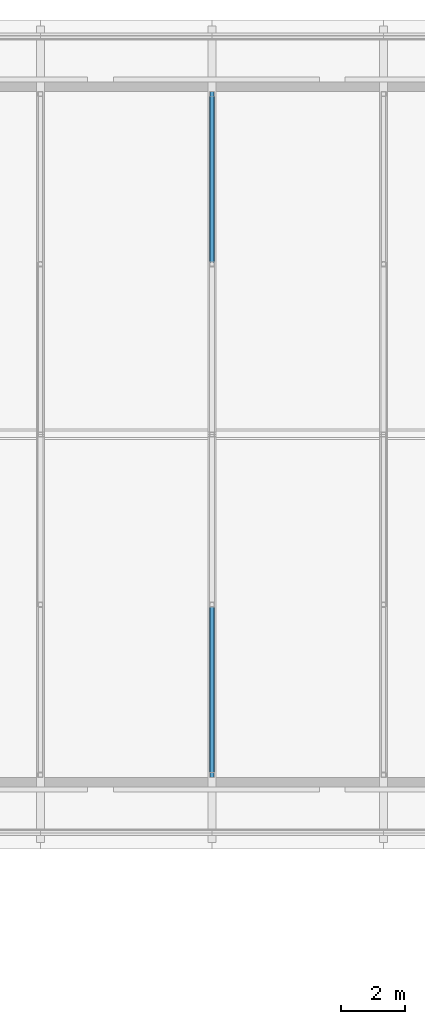
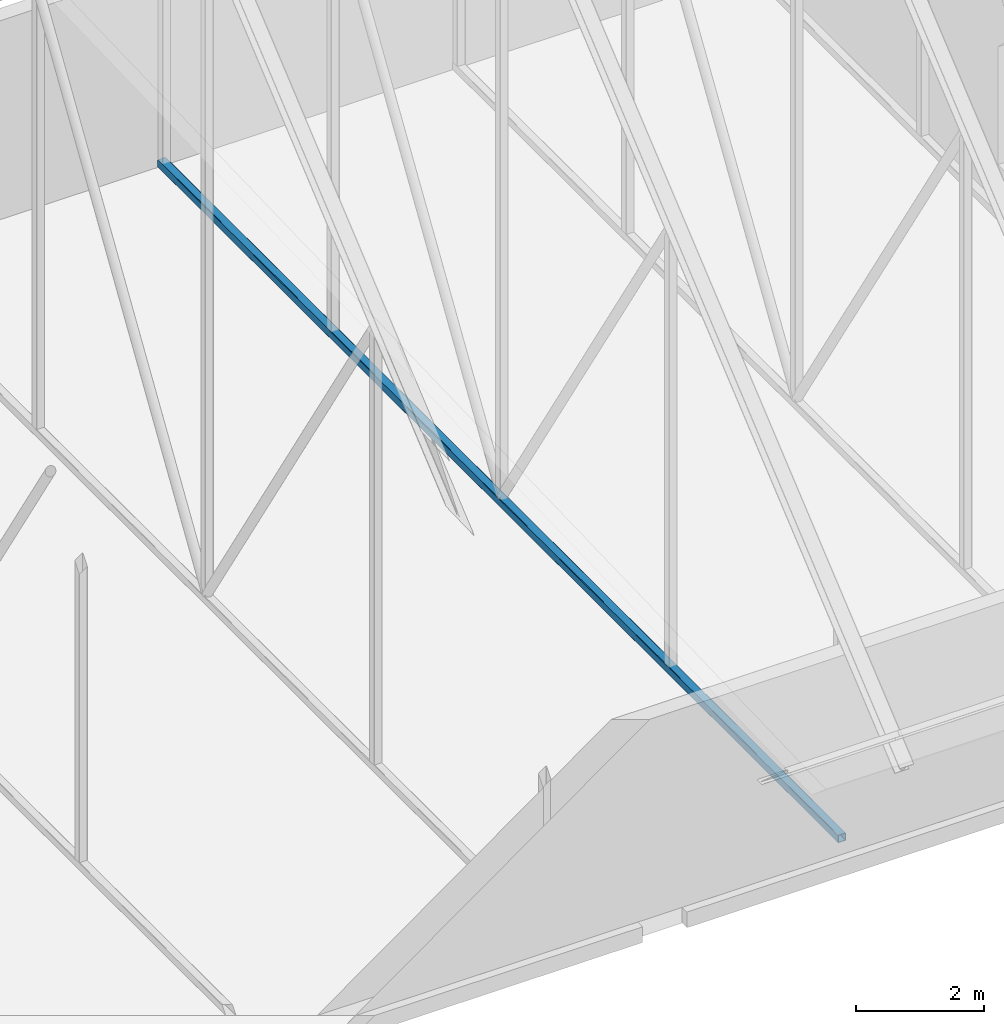
# One storey, part 10 of 29: 1 member.
"""IFC4 building model written with IfcOpenShell, lengths in metres."""

import ifcopenshell
import ifcopenshell.guid

model = None  # the IFC model being written
_history = None  # IfcOwnerHistory: only IFC2X3 demands one
_inside = {}  # id of a spatial element -> (the spatial element, [elements in it])
_under = {}  # id of a project, library or spatial element -> (it, [spatial elements below it])
_declared = {}  # id of a project -> (the project, [libraries it declares])
_typed = {}  # id of a type object -> (the type object, [elements of that type])
_made_of = {}  # id of a material, layer set ... -> (it, [elements and type objects made of it])


def new_model(schema):
    """Start an empty IFC model of exactly this schema.

    Asked for "IFC4X3", IfcOpenShell would pick the latest addendum, in which some entities
    have other attributes; the version numbers below select the first issue.
    IFC2X3 requires an IfcOwnerHistory on every rooted entity: one is made here for all.
    """
    global model, _history
    if schema == "IFC4X3":
        model = ifcopenshell.file(schema_version=(4, 3, 0, 0))
    else:
        model = ifcopenshell.file(schema=schema)
    _inside.clear()
    _under.clear()
    _declared.clear()
    _typed.clear()
    _made_of.clear()
    _history = None
    if model.schema == "IFC2X3":
        org = make("IfcOrganization", Name="unknown")
        user = make(
            "IfcPersonAndOrganization",
            ThePerson=make("IfcPerson", FamilyName="unknown"),
            TheOrganization=org,
        )
        app = make(
            "IfcApplication",
            ApplicationDeveloper=org,
            Version="unknown",
            ApplicationFullName="unknown",
            ApplicationIdentifier="unknown",
        )
        _history = make(
            "IfcOwnerHistory",
            OwningUser=user,
            OwningApplication=app,
            ChangeAction="ADDED",
            CreationDate=0,
        )
    return model


def make(cls, **values):
    """One entity of the class cls with the attributes given. An attribute that is None is left unset."""
    return model.create_entity(
        cls, **{name: value for name, value in values.items() if value is not None}
    )


def rooted(cls, **values):
    """An entity with a GlobalId (a new one), such as an element, a storey or a relation."""
    return make(cls, GlobalId=ifcopenshell.guid.new(), OwnerHistory=_history, **values)


def si_unit(unit_type, name, prefix=None):
    """IfcSIUnit, for example si_unit("LENGTHUNIT", "METRE", prefix="MILLI")."""
    return make("IfcSIUnit", UnitType=unit_type, Prefix=prefix, Name=name)


def assignment(units):
    """IfcUnitAssignment: the units of a project."""
    return None if units is None else make("IfcUnitAssignment", Units=units)


def point(xyz):
    """IfcCartesianPoint."""
    return None if xyz is None else make("IfcCartesianPoint", Coordinates=xyz)


def direction(xyz):
    """IfcDirection."""
    return None if xyz is None else make("IfcDirection", DirectionRatios=xyz)


def frame(location, z_axis=None, x_axis=None):
    """IfcAxis2Placement3D, a coordinate frame: its origin and axes. An axis left out is left unset."""
    return make(
        "IfcAxis2Placement3D",
        Location=point(location),
        Axis=direction(z_axis),
        RefDirection=direction(x_axis),
    )


def frame_2d(location, x_axis=None):
    """IfcAxis2Placement2D, a coordinate frame in the plane: its origin and x axis."""
    return make(
        "IfcAxis2Placement2D", Location=point(location), RefDirection=direction(x_axis)
    )


def origin():
    """The frame at (0, 0, 0) with its axes left unset."""
    return frame((0.0, 0.0, 0.0))


def origin_2d():
    """The frame at (0, 0) in the plane with its x axis left unset."""
    return frame_2d((0.0, 0.0))


def place(relative_to, where):
    """IfcLocalPlacement: puts the frame where relative to a parent placement (None: the world)."""
    return make(
        "IfcLocalPlacement", PlacementRelTo=relative_to, RelativePlacement=where
    )


def context(
    kind, dimensions, precision=None, world=None, true_north=None, identifier=None
):
    """IfcGeometricRepresentationContext, for example the 3D "Model" context."""
    return make(
        "IfcGeometricRepresentationContext",
        ContextIdentifier=identifier,
        ContextType=kind,
        CoordinateSpaceDimension=dimensions,
        Precision=precision,
        WorldCoordinateSystem=world,
        TrueNorth=true_north,
    )


def subcontext(parent, identifier, kind, view, scale=None):
    """IfcGeometricRepresentationSubContext, for example "Body" below "Model"."""
    return make(
        "IfcGeometricRepresentationSubContext",
        ContextIdentifier=identifier,
        ContextType=kind,
        ParentContext=parent,
        TargetScale=scale,
        TargetView=view,
    )


def project(units=None, contexts=None):
    """IfcProject with its units and contexts."""
    return rooted(
        "IfcProject",
        Name="project",
        RepresentationContexts=contexts,
        UnitsInContext=assignment(units),
    )


def spatial(cls, under=None, at=None, **own):
    """A site, building, storey or space (cls), placed at a placement, below another one or the project."""
    s = rooted(cls, ObjectPlacement=at, **own)
    if under is not None:
        _under.setdefault(under.id(), (under, []))[1].append(s)
    return s


def profile(cls, at=None, kind="AREA", **sizes):
    """A parametric profile (cls). Its sizes go by their IFC names, for example OverallWidth=200.0."""
    return make(cls, ProfileType=kind, Position=at, **sizes)


def hollow_rectangle(**sizes):
    """IfcRectangleHollowProfileDef."""
    return profile("IfcRectangleHollowProfileDef", **sizes)


def extrude(swept, where, along, depth):
    """IfcExtrudedAreaSolid: the profile swept, set in the frame where, extruded along a direction by depth."""
    return make(
        "IfcExtrudedAreaSolid",
        SweptArea=swept,
        Position=where,
        ExtrudedDirection=direction(along),
        Depth=depth,
    )


def shape(context_of_items, identifier, shape_type, items):
    """IfcShapeRepresentation: the items that make up one representation, for example the "Body"."""
    return make(
        "IfcShapeRepresentation",
        ContextOfItems=context_of_items,
        RepresentationIdentifier=identifier,
        RepresentationType=shape_type,
        Items=items,
    )


def material(Name=None, Category=None):
    """IfcMaterial."""
    return make("IfcMaterial", Name=Name, Category=Category)


def material_profile(
    of_material, cross_section, Name=None, Category=None, Priority=None
):
    """IfcMaterialProfile: a cross section and its material."""
    return make(
        "IfcMaterialProfile",
        Name=Name,
        Material=of_material,
        Profile=cross_section,
        Priority=Priority,
        Category=Category,
    )


def profile_set(profiles, Name=None, composite=None):
    """IfcMaterialProfileSet."""
    return make(
        "IfcMaterialProfileSet",
        Name=Name,
        MaterialProfiles=profiles,
        CompositeProfile=composite,
    )


def made_of(thing, what):
    """Note that an element or type object is made of a material, layer set ...; save() writes the relation."""
    if what is not None:
        _made_of.setdefault(what.id(), (what, []))[1].append(thing)
    return thing


def type_object(cls, material=None, **own):
    """A type object (cls), such as IfcWallType, which elements share."""
    return made_of(rooted(cls, **own), material)


def element(
    cls,
    number,
    at=None,
    inside=None,
    cuts=None,
    type_object=None,
    material=None,
    context=None,
    identifier="Body",
    shape_type=None,
    held_by="IfcProductDefinitionShape",
    body=None,
    shapes=None,
    **own,
):
    """One element of the class cls, such as IfcWall. Its Tag is "e" and its number.

    at: its placement. inside: the storey or other place that contains it. cuts: it is an
    opening in that element (IfcRelVoidsElement). A single representation is given by context,
    identifier, shape_type and body (its items); several are given by shapes. held_by: the class
    of the entity that holds the representations. save() writes the other relations.
    """
    e = rooted(cls, Tag="e%d" % number, ObjectPlacement=at, **own)
    if body is not None:
        shapes = [shape(context, identifier, shape_type, body)]
    if shapes is not None:
        e.Representation = make(held_by, Representations=shapes)
    if inside is not None:
        _inside.setdefault(inside.id(), (inside, []))[1].append(e)
    if cuts is not None:
        rooted(
            "IfcRelVoidsElement", RelatingBuildingElement=cuts, RelatedOpeningElement=e
        )
    if type_object is not None:
        _typed.setdefault(type_object.id(), (type_object, []))[1].append(e)
    return made_of(e, material)


def aggregate(whole, parts):
    """IfcRelAggregates: a whole, such as a stair, and the parts it consists of."""
    return rooted("IfcRelAggregates", RelatingObject=whole, RelatedObjects=parts)


def save(model, path):
    """Write the relations noted so far, then the file.

    IfcRelAggregates (storeys below a building ...), IfcRelContainedInSpatialStructure (elements
    in a storey), IfcRelDefinesByType, IfcRelAssociatesMaterial and IfcRelDeclares: one each for
    every whole, place, type object, material and project.
    """
    for whole, parts in _under.values():
        aggregate(whole, parts)
    for where, things in _inside.values():
        rooted(
            "IfcRelContainedInSpatialStructure",
            RelatedElements=things,
            RelatingStructure=where,
        )
    for kind, things in _typed.values():
        rooted("IfcRelDefinesByType", RelatedObjects=things, RelatingType=kind)
    for what, things in _made_of.values():
        rooted("IfcRelAssociatesMaterial", RelatedObjects=things, RelatingMaterial=what)
    for by, libraries in _declared.values():
        rooted("IfcRelDeclares", RelatingContext=by, RelatedDefinitions=libraries)
    model.write(path)


model = new_model("IFC4")

# Units and contexts
model_context = context("Model", 3, precision=1e-05, world=origin(), true_north=direction((0.0, 1.0)))
body_context = subcontext(model_context, "Body", "Model", "MODEL_VIEW")
ifc_project = project(units=[si_unit("LENGTHUNIT", "METRE"), si_unit("AREAUNIT", "SQUARE_METRE"), si_unit("VOLUMEUNIT", "CUBIC_METRE"), si_unit("PLANEANGLEUNIT", "RADIAN"), si_unit("MASSUNIT", "GRAM", prefix="KILO")], contexts=[model_context])

# Site, building, storey
site_placement = place(None, origin())
site = spatial("IfcSite", under=ifc_project, at=site_placement, CompositionType="ELEMENT")
building_placement = place(site_placement, origin())
building = spatial("IfcBuilding", under=site, at=building_placement, Name="Silangan Lancet Faculty of Sciences", CompositionType="ELEMENT")
storey_placement = place(building_placement, frame((0.0, 0.0, 54.300048828125)))
storey = spatial("IfcBuildingStorey", under=building, at=storey_placement, Name="L11", CompositionType="ELEMENT", Elevation=54.300048828125)

# Member
ifc_material = material(Name="Steel STKR400", Category="steel")
ifc_material_profile = material_profile(ifc_material, hollow_rectangle(XDim=0.14990234375, YDim=0.14990234375, WallThickness=0.009033203125, InnerFilletRadius=0.009033203125, OuterFilletRadius=0.01806640625, at=origin_2d()), Name="SHS 150x150x9.0")
ifc_profile_set = profile_set([ifc_material_profile], Name="Steel STKR400")
member_type = type_object("IfcMemberType", Name="Truss bottom chord SHS 150x150x9.0", PredefinedType="CHORD", material=ifc_profile_set)
member_placement = place(storey_placement, frame((17.862548828125, 36.14990234375, 0.074951171875), z_axis=(0.0, 1.0, 0.0), x_axis=(-1.0, 0.0, 0.0)))
element("IfcMember", 1, at=member_placement, inside=storey, type_object=member_type, Name="Gable truss 3 tie", PredefinedType="CHORD", context=body_context, shape_type="SweptSolid", body=[
    extrude(hollow_rectangle(XDim=0.14990234375, YDim=0.14990234375, WallThickness=0.009033203125, InnerFilletRadius=0.009033203125, OuterFilletRadius=0.01806640625, at=origin_2d()), origin(), (0.0, 0.0, 1.0), 21.300048828125),
])

save(model, "model.ifc")
